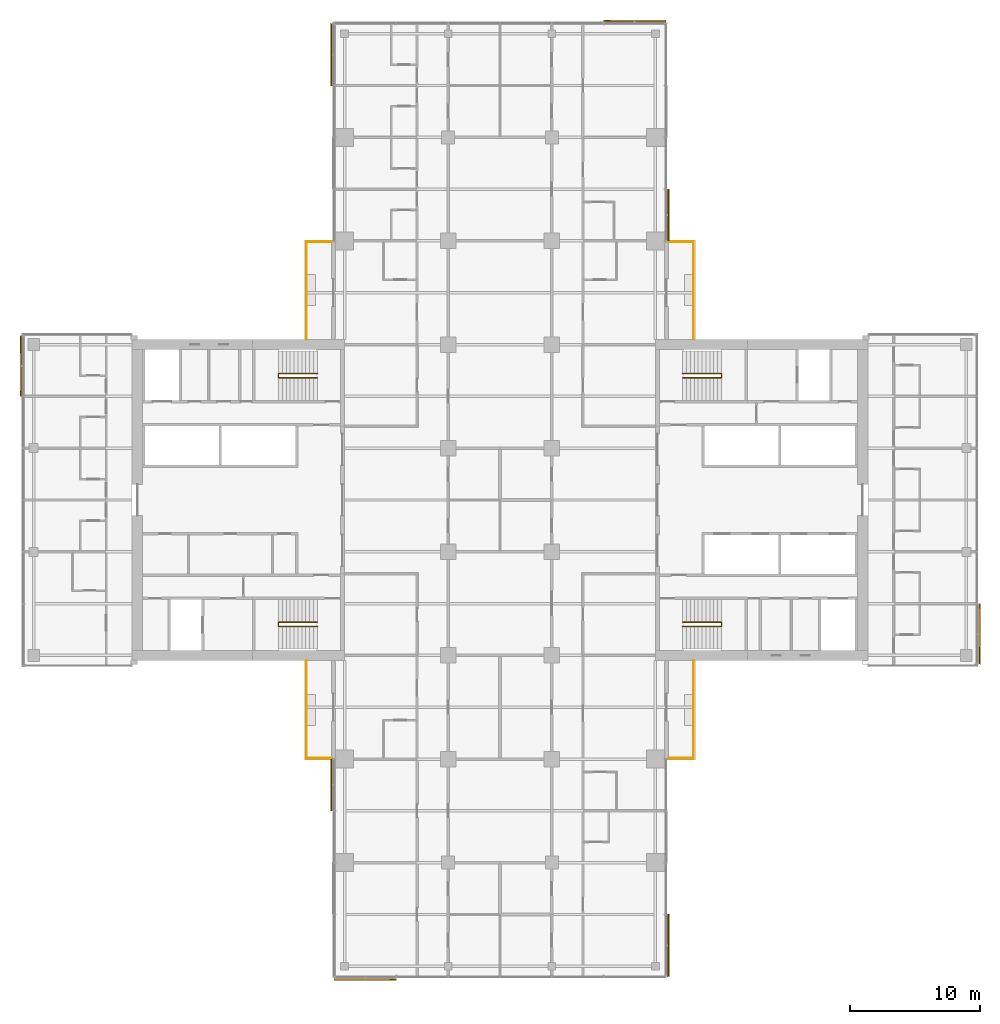
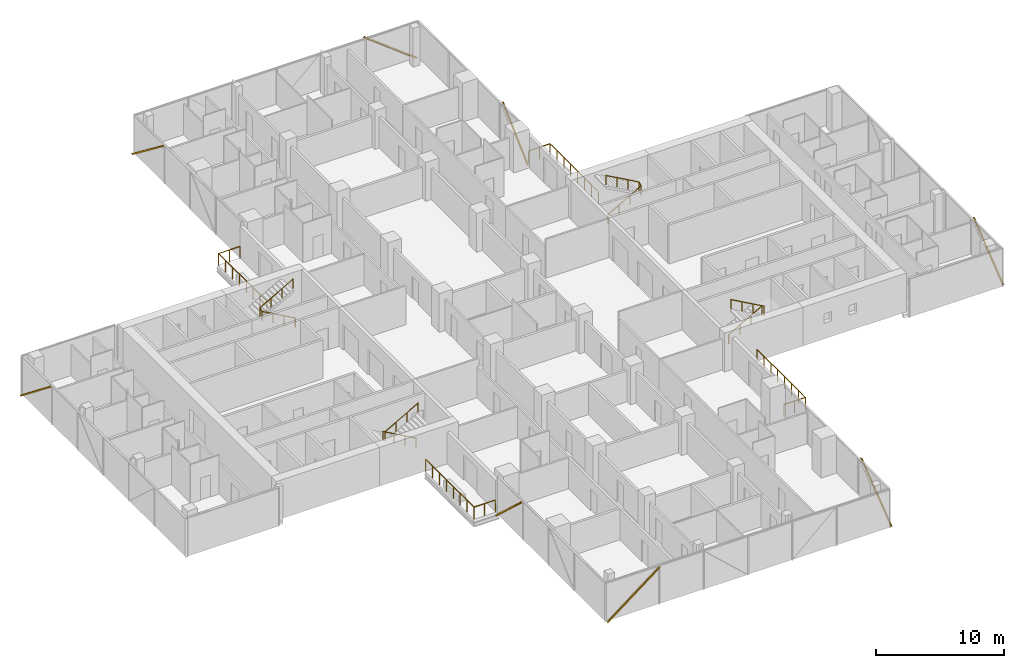
# One storey, part 27 of 27: 8 railings, 8 shading devices, 8 elements without a shape of their own.
"""IFC4 building model written with IfcOpenShell, lengths in metres."""

from ifc_helpers import new_model, si_unit, direction, frame, origin, origin_2d, place, context, subcontext, project, spatial, rectangle, circle, extrude, material, material_profile, profile_set, type_object, element, aggregate, save


model = new_model("IFC4")

# Units and contexts
model_context = context("Model", 3, precision=1e-05, world=origin(), true_north=direction((0.0, 1.0)))
body_context = subcontext(model_context, "Body", "Model", "MODEL_VIEW")
ifc_project = project(units=[si_unit("LENGTHUNIT", "METRE"), si_unit("AREAUNIT", "SQUARE_METRE"), si_unit("VOLUMEUNIT", "CUBIC_METRE"), si_unit("PLANEANGLEUNIT", "RADIAN"), si_unit("MASSUNIT", "GRAM", prefix="KILO")], contexts=[model_context])

# Site, building, storey
site_placement = place(None, origin())
site = spatial("IfcSite", under=ifc_project, at=site_placement, CompositionType="ELEMENT")
building_placement = place(site_placement, origin())
building = spatial("IfcBuilding", under=site, at=building_placement, Name="Crosswind Convention Tower", CompositionType="ELEMENT")
storey_placement = place(building_placement, frame((0.0, 0.0, 90.5)))
storey = spatial("IfcBuildingStorey", under=building, at=storey_placement, Name="L17", CompositionType="ELEMENT", Elevation=90.5)

# Railings
ifc_material_1 = material(Name="Steel and laminated glass balustrade", Category="steel")
railing_type_1 = type_object("IfcRailingType", Name="BALCONY BALUSTRADE 1150", PredefinedType="BALUSTRADE", material=ifc_material_1)
railing_1_placement = place(storey_placement, frame((139.93994140625, 112.39990234375, 0.0)))
element("IfcRailing", 1, at=railing_1_placement, inside=storey, type_object=railing_type_1, Name="R11 balcony balustrade L17 N-E.1-1", PredefinedType="BALUSTRADE", context=body_context, shape_type="SweptSolid", body=[
    extrude(circle(Radius=0.02392578125, at=origin_2d()), frame((0.0, 0.0, 1.1259765625), z_axis=(0.0, 1.0, 0.0), x_axis=(-1.0, 0.0, 0.0)), (0.0, 0.0, 1.0), 7.5400390625),
    extrude(circle(Radius=0.02392578125, at=origin_2d()), frame((0.0, 7.5400390625, 1.1259765625), z_axis=(-1.0, 0.0, 0.0), x_axis=(0.0, -1.0, 0.0)), (0.0, 0.0, 1.0), 1.9189453125),
    extrude(circle(Radius=0.02099609375, at=origin_2d()), origin(), (0.0, 0.0, 1.0), 1.101806640625),
    extrude(circle(Radius=0.02099609375, at=origin_2d()), frame((0.0, 1.0771484375, 0.0)), (0.0, 0.0, 1.0), 1.101806640625),
    extrude(circle(Radius=0.02099609375, at=origin_2d()), frame((0.0, 2.154296875, 0.0)), (0.0, 0.0, 1.0), 1.101806640625),
    extrude(circle(Radius=0.02099609375, at=origin_2d()), frame((0.0, 3.2314453125, 0.0)), (0.0, 0.0, 1.0), 1.101806640625),
    extrude(circle(Radius=0.02099609375, at=origin_2d()), frame((0.0, 4.30859375, 0.0)), (0.0, 0.0, 1.0), 1.101806640625),
    extrude(circle(Radius=0.02099609375, at=origin_2d()), frame((0.0, 5.3857421875, 0.0)), (0.0, 0.0, 1.0), 1.101806640625),
    extrude(circle(Radius=0.02099609375, at=origin_2d()), frame((0.0, 6.462890625, 0.0)), (0.0, 0.0, 1.0), 1.101806640625),
    extrude(circle(Radius=0.02099609375, at=origin_2d()), frame((0.0, 7.5400390625, 0.0)), (0.0, 0.0, 1.0), 1.101806640625),
    extrude(circle(Radius=0.02099609375, at=origin_2d()), frame((-0.95947265625, 7.5400390625, 0.0)), (0.0, 0.0, 1.0), 1.101806640625),
    extrude(circle(Radius=0.02099609375, at=origin_2d()), frame((-1.9189453125, 7.5400390625, 0.0)), (0.0, 0.0, 1.0), 1.101806640625),
])
railing_2_placement = place(storey_placement, frame((110.06005859375, 112.39990234375, 0.0)))
element("IfcRailing", 2, at=railing_2_placement, inside=storey, type_object=railing_type_1, Name="R11 balcony balustrade L17 N-W.1-3", PredefinedType="BALUSTRADE", context=body_context, shape_type="SweptSolid", body=[
    extrude(circle(Radius=0.02392578125, at=origin_2d()), frame((0.0, 0.0, 1.1259765625), z_axis=(0.0, 1.0, 0.0), x_axis=(-1.0, 0.0, 0.0)), (0.0, 0.0, 1.0), 7.5400390625),
    extrude(circle(Radius=0.02392578125, at=origin_2d()), frame((0.0, 7.5400390625, 1.1259765625), z_axis=(1.0, 0.0, 0.0), x_axis=(0.0, 1.0, 0.0)), (0.0, 0.0, 1.0), 1.9189453125),
    extrude(circle(Radius=0.02099609375, at=origin_2d()), origin(), (0.0, 0.0, 1.0), 1.101806640625),
    extrude(circle(Radius=0.02099609375, at=origin_2d()), frame((0.0, 1.0771484375, 0.0)), (0.0, 0.0, 1.0), 1.101806640625),
    extrude(circle(Radius=0.02099609375, at=origin_2d()), frame((0.0, 2.154296875, 0.0)), (0.0, 0.0, 1.0), 1.101806640625),
    extrude(circle(Radius=0.02099609375, at=origin_2d()), frame((0.0, 3.2314453125, 0.0)), (0.0, 0.0, 1.0), 1.101806640625),
    extrude(circle(Radius=0.02099609375, at=origin_2d()), frame((0.0, 4.30859375, 0.0)), (0.0, 0.0, 1.0), 1.101806640625),
    extrude(circle(Radius=0.02099609375, at=origin_2d()), frame((0.0, 5.3857421875, 0.0)), (0.0, 0.0, 1.0), 1.101806640625),
    extrude(circle(Radius=0.02099609375, at=origin_2d()), frame((0.0, 6.462890625, 0.0)), (0.0, 0.0, 1.0), 1.101806640625),
    extrude(circle(Radius=0.02099609375, at=origin_2d()), frame((0.0, 7.5400390625, 0.0)), (0.0, 0.0, 1.0), 1.101806640625),
    extrude(circle(Radius=0.02099609375, at=origin_2d()), frame((0.95947265625, 7.5400390625, 0.0)), (0.0, 0.0, 1.0), 1.101806640625),
    extrude(circle(Radius=0.02099609375, at=origin_2d()), frame((1.9189453125, 7.5400390625, 0.0)), (0.0, 0.0, 1.0), 1.101806640625),
])
railing_3_placement = place(storey_placement, frame((110.06005859375, 87.60009765625, 0.0)))
element("IfcRailing", 3, at=railing_3_placement, inside=storey, type_object=railing_type_1, Name="R11 balcony balustrade L17 S-W.1-1", PredefinedType="BALUSTRADE", context=body_context, shape_type="SweptSolid", body=[
    extrude(circle(Radius=0.02392578125, at=origin_2d()), frame((0.0, 0.0, 1.1259765625), z_axis=(0.0, -1.0, 0.0), x_axis=(1.0, 0.0, 0.0)), (0.0, 0.0, 1.0), 7.5400390625),
    extrude(circle(Radius=0.02392578125, at=origin_2d()), frame((0.0, -7.5400390625, 1.1259765625), z_axis=(1.0, 0.0, 0.0), x_axis=(0.0, 1.0, 0.0)), (0.0, 0.0, 1.0), 1.9189453125),
    extrude(circle(Radius=0.02099609375, at=origin_2d()), origin(), (0.0, 0.0, 1.0), 1.101806640625),
    extrude(circle(Radius=0.02099609375, at=origin_2d()), frame((0.0, -1.0771484375, 0.0)), (0.0, 0.0, 1.0), 1.101806640625),
    extrude(circle(Radius=0.02099609375, at=origin_2d()), frame((0.0, -2.154296875, 0.0)), (0.0, 0.0, 1.0), 1.101806640625),
    extrude(circle(Radius=0.02099609375, at=origin_2d()), frame((0.0, -3.2314453125, 0.0)), (0.0, 0.0, 1.0), 1.101806640625),
    extrude(circle(Radius=0.02099609375, at=origin_2d()), frame((0.0, -4.30859375, 0.0)), (0.0, 0.0, 1.0), 1.101806640625),
    extrude(circle(Radius=0.02099609375, at=origin_2d()), frame((0.0, -5.3857421875, 0.0)), (0.0, 0.0, 1.0), 1.101806640625),
    extrude(circle(Radius=0.02099609375, at=origin_2d()), frame((0.0, -6.462890625, 0.0)), (0.0, 0.0, 1.0), 1.101806640625),
    extrude(circle(Radius=0.02099609375, at=origin_2d()), frame((0.0, -7.5400390625, 0.0)), (0.0, 0.0, 1.0), 1.101806640625),
    extrude(circle(Radius=0.02099609375, at=origin_2d()), frame((0.95947265625, -7.5400390625, 0.0)), (0.0, 0.0, 1.0), 1.101806640625),
    extrude(circle(Radius=0.02099609375, at=origin_2d()), frame((1.9189453125, -7.5400390625, 0.0)), (0.0, 0.0, 1.0), 1.101806640625),
])
railing_4_placement = place(storey_placement, frame((139.93994140625, 87.60009765625, 0.0)))
element("IfcRailing", 4, at=railing_4_placement, inside=storey, type_object=railing_type_1, Name="R11 balcony balustrade L17 S-E.1-3", PredefinedType="BALUSTRADE", context=body_context, shape_type="SweptSolid", body=[
    extrude(circle(Radius=0.02392578125, at=origin_2d()), frame((0.0, 0.0, 1.1259765625), z_axis=(0.0, -1.0, 0.0), x_axis=(1.0, 0.0, 0.0)), (0.0, 0.0, 1.0), 7.5400390625),
    extrude(circle(Radius=0.02392578125, at=origin_2d()), frame((0.0, -7.5400390625, 1.1259765625), z_axis=(-1.0, 0.0, 0.0), x_axis=(0.0, -1.0, 0.0)), (0.0, 0.0, 1.0), 1.9189453125),
    extrude(circle(Radius=0.02099609375, at=origin_2d()), origin(), (0.0, 0.0, 1.0), 1.101806640625),
    extrude(circle(Radius=0.02099609375, at=origin_2d()), frame((0.0, -1.0771484375, 0.0)), (0.0, 0.0, 1.0), 1.101806640625),
    extrude(circle(Radius=0.02099609375, at=origin_2d()), frame((0.0, -2.154296875, 0.0)), (0.0, 0.0, 1.0), 1.101806640625),
    extrude(circle(Radius=0.02099609375, at=origin_2d()), frame((0.0, -3.2314453125, 0.0)), (0.0, 0.0, 1.0), 1.101806640625),
    extrude(circle(Radius=0.02099609375, at=origin_2d()), frame((0.0, -4.30859375, 0.0)), (0.0, 0.0, 1.0), 1.101806640625),
    extrude(circle(Radius=0.02099609375, at=origin_2d()), frame((0.0, -5.3857421875, 0.0)), (0.0, 0.0, 1.0), 1.101806640625),
    extrude(circle(Radius=0.02099609375, at=origin_2d()), frame((0.0, -6.462890625, 0.0)), (0.0, 0.0, 1.0), 1.101806640625),
    extrude(circle(Radius=0.02099609375, at=origin_2d()), frame((0.0, -7.5400390625, 0.0)), (0.0, 0.0, 1.0), 1.101806640625),
    extrude(circle(Radius=0.02099609375, at=origin_2d()), frame((-0.95947265625, -7.5400390625, 0.0)), (0.0, 0.0, 1.0), 1.101806640625),
    extrude(circle(Radius=0.02099609375, at=origin_2d()), frame((-1.9189453125, -7.5400390625, 0.0)), (0.0, 0.0, 1.0), 1.101806640625),
])
ifc_material_2 = material(Name="Stainless steel", Category="steel")
railing_type_2 = type_object("IfcRailingType", Name="Stair handrail 900", PredefinedType="HANDRAIL", material=ifc_material_2)
railing_5_placement = place(storey_placement, frame((139.10009765625, 109.43994140625, 0.168212890625)))
element("IfcRailing", 5, at=railing_5_placement, inside=storey, type_object=railing_type_2, Name="Stair ST1 handrail L17", PredefinedType="HANDRAIL", context=body_context, shape_type="SweptSolid", body=[
    extrude(circle(Radius=0.02392578125, at=origin_2d()), frame((0.0, 0.0, 0.8759765625), z_axis=(0.872272294576, 0.0, 0.489020494575), x_axis=(0.0, 1.0, 0.0)), (0.0, 0.0, 1.0), 3.439208984375),
    extrude(circle(Radius=0.02392578125, at=origin_2d()), frame((3.0, 0.0, 2.5576171875), z_axis=(0.0, 0.885474334664, 0.464688285468), x_axis=(-1.0, 0.0, 0.0)), (0.0, 0.0, 1.0), 0.361572265625),
    extrude(circle(Radius=0.02392578125, at=origin_2d()), frame((3.0, 0.320068359375, 2.7255859375), z_axis=(-0.872272294576, 0.0, 0.489020494575), x_axis=(0.0, -1.0, 0.0)), (0.0, 0.0, 1.0), 3.439208984375),
    extrude(circle(Radius=0.02099609375, at=origin_2d()), origin(), (0.0, 0.0, 1.0), 0.851806640625),
    extrude(circle(Radius=0.02099609375, at=origin_2d()), frame((1.0, 0.0, 0.560546875)), (0.0, 0.0, 1.0), 0.851806640625),
    extrude(circle(Radius=0.02099609375, at=origin_2d()), frame((2.0, 0.0, 1.121337890625)), (0.0, 0.0, 1.0), 0.851806640625),
    extrude(circle(Radius=0.02099609375, at=origin_2d()), frame((3.0, 0.0, 1.681884765625)), (0.0, 0.0, 1.0), 0.851806640625),
    extrude(circle(Radius=0.02099609375, at=origin_2d()), frame((3.0, 0.320068359375, 1.849853515625)), (0.0, 0.0, 1.0), 0.851806640625),
    extrude(circle(Radius=0.02099609375, at=origin_2d()), frame((2.0, 0.320068359375, 2.410400390625)), (0.0, 0.0, 1.0), 0.851806640625),
    extrude(circle(Radius=0.02099609375, at=origin_2d()), frame((1.0, 0.320068359375, 2.97119140625)), (0.0, 0.0, 1.0), 0.851806640625),
    extrude(circle(Radius=0.02099609375, at=origin_2d()), frame((0.0, 0.320068359375, 3.53173828125)), (0.0, 0.0, 1.0), 0.851806640625),
])
railing_6_placement = place(storey_placement, frame((139.10009765625, 90.56005859375, 0.168212890625)))
element("IfcRailing", 6, at=railing_6_placement, inside=storey, type_object=railing_type_2, Name="Stair ST2 handrail L17", PredefinedType="HANDRAIL", context=body_context, shape_type="SweptSolid", body=[
    extrude(circle(Radius=0.02392578125, at=origin_2d()), frame((0.0, 0.0, 0.8759765625), z_axis=(0.872272294576, 0.0, 0.489020494575), x_axis=(0.0, 1.0, 0.0)), (0.0, 0.0, 1.0), 3.439208984375),
    extrude(circle(Radius=0.02392578125, at=origin_2d()), frame((3.0, 0.0, 2.5576171875), z_axis=(0.0, -0.885474334664, 0.464688285468), x_axis=(1.0, 0.0, 0.0)), (0.0, 0.0, 1.0), 0.361572265625),
    extrude(circle(Radius=0.02392578125, at=origin_2d()), frame((3.0, -0.320068359375, 2.7255859375), z_axis=(-0.872272294576, 0.0, 0.489020494575), x_axis=(0.0, -1.0, 0.0)), (0.0, 0.0, 1.0), 3.439208984375),
    extrude(circle(Radius=0.02099609375, at=origin_2d()), origin(), (0.0, 0.0, 1.0), 0.851806640625),
    extrude(circle(Radius=0.02099609375, at=origin_2d()), frame((1.0, 0.0, 0.560546875)), (0.0, 0.0, 1.0), 0.851806640625),
    extrude(circle(Radius=0.02099609375, at=origin_2d()), frame((2.0, 0.0, 1.121337890625)), (0.0, 0.0, 1.0), 0.851806640625),
    extrude(circle(Radius=0.02099609375, at=origin_2d()), frame((3.0, 0.0, 1.681884765625)), (0.0, 0.0, 1.0), 0.851806640625),
    extrude(circle(Radius=0.02099609375, at=origin_2d()), frame((3.0, -0.320068359375, 1.849853515625)), (0.0, 0.0, 1.0), 0.851806640625),
    extrude(circle(Radius=0.02099609375, at=origin_2d()), frame((2.0, -0.320068359375, 2.410400390625)), (0.0, 0.0, 1.0), 0.851806640625),
    extrude(circle(Radius=0.02099609375, at=origin_2d()), frame((1.0, -0.320068359375, 2.97119140625)), (0.0, 0.0, 1.0), 0.851806640625),
    extrude(circle(Radius=0.02099609375, at=origin_2d()), frame((0.0, -0.320068359375, 3.53173828125)), (0.0, 0.0, 1.0), 0.851806640625),
])
railing_7_placement = place(storey_placement, frame((110.89990234375, 90.56005859375, 0.168212890625)))
element("IfcRailing", 7, at=railing_7_placement, inside=storey, type_object=railing_type_2, Name="Stair ST3 handrail L17", PredefinedType="HANDRAIL", context=body_context, shape_type="SweptSolid", body=[
    extrude(circle(Radius=0.02392578125, at=origin_2d()), frame((0.0, 0.0, 0.8759765625), z_axis=(-0.872272294576, 0.0, 0.489020494575), x_axis=(0.0, -1.0, 0.0)), (0.0, 0.0, 1.0), 3.439208984375),
    extrude(circle(Radius=0.02392578125, at=origin_2d()), frame((-3.0, 0.0, 2.5576171875), z_axis=(0.0, -0.885474334664, 0.464688285468), x_axis=(1.0, 0.0, 0.0)), (0.0, 0.0, 1.0), 0.361572265625),
    extrude(circle(Radius=0.02392578125, at=origin_2d()), frame((-3.0, -0.320068359375, 2.7255859375), z_axis=(0.872272294576, 0.0, 0.489020494575), x_axis=(0.0, 1.0, 0.0)), (0.0, 0.0, 1.0), 3.439208984375),
    extrude(circle(Radius=0.02099609375, at=origin_2d()), origin(), (0.0, 0.0, 1.0), 0.851806640625),
    extrude(circle(Radius=0.02099609375, at=origin_2d()), frame((-1.0, 0.0, 0.560546875)), (0.0, 0.0, 1.0), 0.851806640625),
    extrude(circle(Radius=0.02099609375, at=origin_2d()), frame((-2.0, 0.0, 1.121337890625)), (0.0, 0.0, 1.0), 0.851806640625),
    extrude(circle(Radius=0.02099609375, at=origin_2d()), frame((-3.0, 0.0, 1.681884765625)), (0.0, 0.0, 1.0), 0.851806640625),
    extrude(circle(Radius=0.02099609375, at=origin_2d()), frame((-3.0, -0.320068359375, 1.849853515625)), (0.0, 0.0, 1.0), 0.851806640625),
    extrude(circle(Radius=0.02099609375, at=origin_2d()), frame((-2.0, -0.320068359375, 2.410400390625)), (0.0, 0.0, 1.0), 0.851806640625),
    extrude(circle(Radius=0.02099609375, at=origin_2d()), frame((-1.0, -0.320068359375, 2.97119140625)), (0.0, 0.0, 1.0), 0.851806640625),
    extrude(circle(Radius=0.02099609375, at=origin_2d()), frame((0.0, -0.320068359375, 3.53173828125)), (0.0, 0.0, 1.0), 0.851806640625),
])
railing_8_placement = place(storey_placement, frame((110.89990234375, 109.43994140625, 0.168212890625)))
element("IfcRailing", 8, at=railing_8_placement, inside=storey, type_object=railing_type_2, Name="Stair ST4 handrail L17", PredefinedType="HANDRAIL", context=body_context, shape_type="SweptSolid", body=[
    extrude(circle(Radius=0.02392578125, at=origin_2d()), frame((0.0, 0.0, 0.8759765625), z_axis=(-0.872272294576, 0.0, 0.489020494575), x_axis=(0.0, -1.0, 0.0)), (0.0, 0.0, 1.0), 3.439208984375),
    extrude(circle(Radius=0.02392578125, at=origin_2d()), frame((-3.0, 0.0, 2.5576171875), z_axis=(0.0, 0.885474334664, 0.464688285468), x_axis=(-1.0, 0.0, 0.0)), (0.0, 0.0, 1.0), 0.361572265625),
    extrude(circle(Radius=0.02392578125, at=origin_2d()), frame((-3.0, 0.320068359375, 2.7255859375), z_axis=(0.872272294576, 0.0, 0.489020494575), x_axis=(0.0, 1.0, 0.0)), (0.0, 0.0, 1.0), 3.439208984375),
    extrude(circle(Radius=0.02099609375, at=origin_2d()), origin(), (0.0, 0.0, 1.0), 0.851806640625),
    extrude(circle(Radius=0.02099609375, at=origin_2d()), frame((-1.0, 0.0, 0.560546875)), (0.0, 0.0, 1.0), 0.851806640625),
    extrude(circle(Radius=0.02099609375, at=origin_2d()), frame((-2.0, 0.0, 1.121337890625)), (0.0, 0.0, 1.0), 0.851806640625),
    extrude(circle(Radius=0.02099609375, at=origin_2d()), frame((-3.0, 0.0, 1.681884765625)), (0.0, 0.0, 1.0), 0.851806640625),
    extrude(circle(Radius=0.02099609375, at=origin_2d()), frame((-3.0, 0.320068359375, 1.849853515625)), (0.0, 0.0, 1.0), 0.851806640625),
    extrude(circle(Radius=0.02099609375, at=origin_2d()), frame((-2.0, 0.320068359375, 2.410400390625)), (0.0, 0.0, 1.0), 0.851806640625),
    extrude(circle(Radius=0.02099609375, at=origin_2d()), frame((-1.0, 0.320068359375, 2.97119140625)), (0.0, 0.0, 1.0), 0.851806640625),
    extrude(circle(Radius=0.02099609375, at=origin_2d()), frame((0.0, 0.320068359375, 3.53173828125)), (0.0, 0.0, 1.0), 0.851806640625),
])

# Curtain wall, shading device
ifc_material_3 = material(Name="Aluminium unitised curtain wall", Category="aluminium")
curtain_wall_type = type_object("IfcCurtainWallType", Name="HOTEL UNITISED WALL 200", PredefinedType="USERDEFINED", material=ifc_material_3)
curtain_wall_1_placement = place(storey_placement, origin())
curtain_wall_1 = element("IfcCurtainWall", 9, at=curtain_wall_1_placement, inside=storey, type_object=curtain_wall_type, Name="CW2 L17 E-TIP 1", ObjectType="UNITISED", PredefinedType="USERDEFINED")
ifc_material_4 = material(Name="Extruded terracotta", Category="masonry")
ifc_material_profile = material_profile(ifc_material_4, rectangle(XDim=0.10009765625, YDim=0.1201171875, at=origin_2d()), Name="TC 100X120")
ifc_profile_set = profile_set([ifc_material_profile], Name="Extruded terracotta")
shading_device_type = type_object("IfcShadingDeviceType", Name="TERRACOTTA BAGUETTE 120X100", PredefinedType="USERDEFINED", material=ifc_profile_set)
shading_device_1_placement = place(storey_placement, frame((162.008056640625, 87.364990234375, -0.280029296875), z_axis=(0.0, 0.784764474718, 0.619794094212), x_axis=(-1.0, 0.0, 0.0)))
shading_device_1 = element("IfcShadingDevice", 10, at=shading_device_1_placement, type_object=shading_device_type, Name="CW2 terracotta baguette 1", ObjectType="BAGUETTE", PredefinedType="USERDEFINED", context=body_context, shape_type="SweptSolid", body=[
    extrude(rectangle(XDim=0.10009765625, YDim=0.1201171875, at=origin_2d()), origin(), (0.0, 0.0, 1.0), 5.86474609375),
])
aggregate(curtain_wall_1, [shading_device_1])

curtain_wall_2_placement = place(storey_placement, origin())
curtain_wall_2 = element("IfcCurtainWall", 11, at=curtain_wall_2_placement, inside=storey, type_object=curtain_wall_type, Name="CW2 L17 N-E 1", ObjectType="UNITISED", PredefinedType="USERDEFINED")
shading_device_2_placement = place(storey_placement, frame((138.008056640625, 120.032470703125, -0.280029296875), z_axis=(0.0, 0.734557036047, 0.678546948114), x_axis=(-1.0, 0.0, 0.0)))
shading_device_2 = element("IfcShadingDevice", 12, at=shading_device_2_placement, type_object=shading_device_type, Name="CW2 terracotta baguette 1", ObjectType="BAGUETTE", PredefinedType="USERDEFINED", context=body_context, shape_type="SweptSolid", body=[
    extrude(rectangle(XDim=0.10009765625, YDim=0.1201171875, at=origin_2d()), origin(), (0.0, 0.0, 1.0), 5.35693359375),
])
aggregate(curtain_wall_2, [shading_device_2])

curtain_wall_3_placement = place(storey_placement, origin())
curtain_wall_3 = element("IfcCurtainWall", 13, at=curtain_wall_3_placement, inside=storey, type_object=curtain_wall_type, Name="CW2 L17 N-TIP 1", ObjectType="UNITISED", PredefinedType="USERDEFINED")
shading_device_3_placement = place(storey_placement, frame((137.767578125, 137.008056640625, -0.280029296875), z_axis=(-0.793221117913, 0.0, 0.608933705831), x_axis=(0.0, -1.0, 0.0)))
shading_device_3 = element("IfcShadingDevice", 14, at=shading_device_3_placement, type_object=shading_device_type, Name="CW2 terracotta baguette 1", ObjectType="BAGUETTE", PredefinedType="USERDEFINED", context=body_context, shape_type="SweptSolid", body=[
    extrude(rectangle(XDim=0.10009765625, YDim=0.1201171875, at=origin_2d()), origin(), (0.0, 0.0, 1.0), 5.969482421875),
])
aggregate(curtain_wall_3, [shading_device_3])

curtain_wall_4_placement = place(storey_placement, origin())
curtain_wall_4 = element("IfcCurtainWall", 15, at=curtain_wall_4_placement, inside=storey, type_object=curtain_wall_type, Name="CW2 L17 N-W 1", ObjectType="UNITISED", PredefinedType="USERDEFINED")
shading_device_4_placement = place(storey_placement, frame((111.991943359375, 136.767578125, -0.280029296875), z_axis=(0.0, -0.793221117913, 0.608933705831), x_axis=(1.0, 0.0, 0.0)))
shading_device_4 = element("IfcShadingDevice", 16, at=shading_device_4_placement, type_object=shading_device_type, Name="CW2 terracotta baguette 1", ObjectType="BAGUETTE", PredefinedType="USERDEFINED", context=body_context, shape_type="SweptSolid", body=[
    extrude(rectangle(XDim=0.10009765625, YDim=0.1201171875, at=origin_2d()), origin(), (0.0, 0.0, 1.0), 5.969482421875),
])
aggregate(curtain_wall_4, [shading_device_4])

curtain_wall_5_placement = place(storey_placement, origin())
curtain_wall_5 = element("IfcCurtainWall", 17, at=curtain_wall_5_placement, inside=storey, type_object=curtain_wall_type, Name="CW2 L17 W-TIP 1", ObjectType="UNITISED", PredefinedType="USERDEFINED")
shading_device_5_placement = place(storey_placement, frame((87.991943359375, 112.635009765625, -0.280029296875), z_axis=(0.0, -0.784764474718, 0.619794094212), x_axis=(1.0, 0.0, 0.0)))
shading_device_5 = element("IfcShadingDevice", 18, at=shading_device_5_placement, type_object=shading_device_type, Name="CW2 terracotta baguette 1", ObjectType="BAGUETTE", PredefinedType="USERDEFINED", context=body_context, shape_type="SweptSolid", body=[
    extrude(rectangle(XDim=0.10009765625, YDim=0.1201171875, at=origin_2d()), origin(), (0.0, 0.0, 1.0), 5.86474609375),
])
aggregate(curtain_wall_5, [shading_device_5])

curtain_wall_6_placement = place(storey_placement, origin())
curtain_wall_6 = element("IfcCurtainWall", 19, at=curtain_wall_6_placement, inside=storey, type_object=curtain_wall_type, Name="CW2 L17 S-W 1", ObjectType="UNITISED", PredefinedType="USERDEFINED")
shading_device_6_placement = place(storey_placement, frame((111.991943359375, 79.967529296875, -0.280029296875), z_axis=(0.0, -0.734557036047, 0.678546948114), x_axis=(1.0, 0.0, 0.0)))
shading_device_6 = element("IfcShadingDevice", 20, at=shading_device_6_placement, type_object=shading_device_type, Name="CW2 terracotta baguette 1", ObjectType="BAGUETTE", PredefinedType="USERDEFINED", context=body_context, shape_type="SweptSolid", body=[
    extrude(rectangle(XDim=0.10009765625, YDim=0.1201171875, at=origin_2d()), origin(), (0.0, 0.0, 1.0), 5.35693359375),
])
aggregate(curtain_wall_6, [shading_device_6])

curtain_wall_7_placement = place(storey_placement, origin())
curtain_wall_7 = element("IfcCurtainWall", 21, at=curtain_wall_7_placement, inside=storey, type_object=curtain_wall_type, Name="CW2 L17 S-TIP 1", ObjectType="UNITISED", PredefinedType="USERDEFINED")
shading_device_7_placement = place(storey_placement, frame((112.232421875, 62.991943359375, -0.280029296875), z_axis=(0.793221117913, 0.0, 0.608933705831), x_axis=(0.0, 1.0, 0.0)))
shading_device_7 = element("IfcShadingDevice", 22, at=shading_device_7_placement, type_object=shading_device_type, Name="CW2 terracotta baguette 1", ObjectType="BAGUETTE", PredefinedType="USERDEFINED", context=body_context, shape_type="SweptSolid", body=[
    extrude(rectangle(XDim=0.10009765625, YDim=0.1201171875, at=origin_2d()), origin(), (0.0, 0.0, 1.0), 5.969482421875),
])
aggregate(curtain_wall_7, [shading_device_7])

curtain_wall_8_placement = place(storey_placement, origin())
curtain_wall_8 = element("IfcCurtainWall", 23, at=curtain_wall_8_placement, inside=storey, type_object=curtain_wall_type, Name="CW2 L17 S-E 1", ObjectType="UNITISED", PredefinedType="USERDEFINED")
shading_device_8_placement = place(storey_placement, frame((138.008056640625, 63.232421875, -0.280029296875), z_axis=(0.0, 0.793221117913, 0.608933705831), x_axis=(-1.0, 0.0, 0.0)))
shading_device_8 = element("IfcShadingDevice", 24, at=shading_device_8_placement, type_object=shading_device_type, Name="CW2 terracotta baguette 1", ObjectType="BAGUETTE", PredefinedType="USERDEFINED", context=body_context, shape_type="SweptSolid", body=[
    extrude(rectangle(XDim=0.10009765625, YDim=0.1201171875, at=origin_2d()), origin(), (0.0, 0.0, 1.0), 5.969482421875),
])
aggregate(curtain_wall_8, [shading_device_8])

save(model, "model.ifc")
